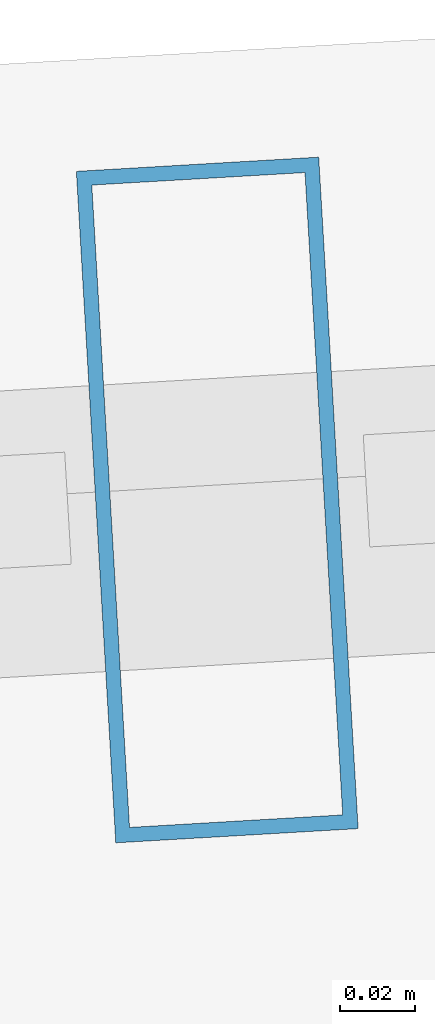
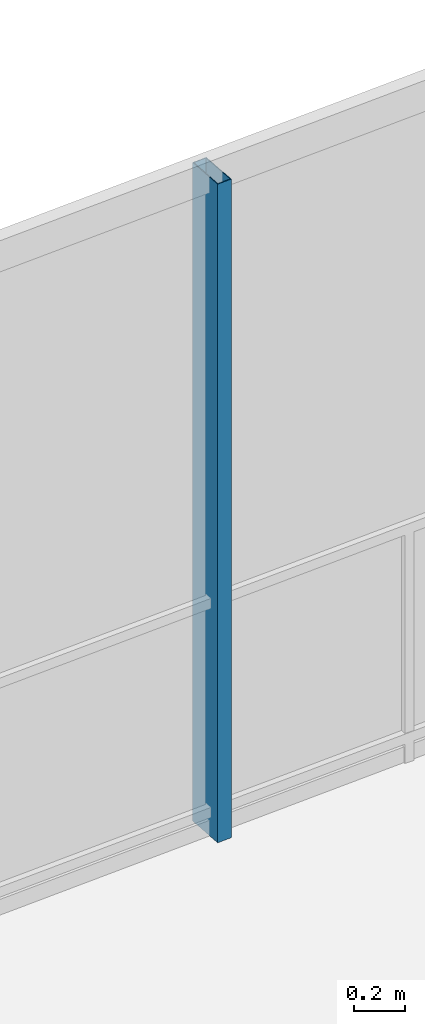
# One storey, part 21 of 30: 1 member, 1 element without a shape of its own.
"""IFC4 building model written with IfcOpenShell, lengths in metres."""

import ifcopenshell
import ifcopenshell.guid

model = None  # the IFC model being written
_history = None  # IfcOwnerHistory: only IFC2X3 demands one
_inside = {}  # id of a spatial element -> (the spatial element, [elements in it])
_under = {}  # id of a project, library or spatial element -> (it, [spatial elements below it])
_declared = {}  # id of a project -> (the project, [libraries it declares])
_typed = {}  # id of a type object -> (the type object, [elements of that type])
_made_of = {}  # id of a material, layer set ... -> (it, [elements and type objects made of it])


def new_model(schema):
    """Start an empty IFC model of exactly this schema.

    Asked for "IFC4X3", IfcOpenShell would pick the latest addendum, in which some entities
    have other attributes; the version numbers below select the first issue.
    IFC2X3 requires an IfcOwnerHistory on every rooted entity: one is made here for all.
    """
    global model, _history
    if schema == "IFC4X3":
        model = ifcopenshell.file(schema_version=(4, 3, 0, 0))
    else:
        model = ifcopenshell.file(schema=schema)
    _inside.clear()
    _under.clear()
    _declared.clear()
    _typed.clear()
    _made_of.clear()
    _history = None
    if model.schema == "IFC2X3":
        org = make("IfcOrganization", Name="unknown")
        user = make(
            "IfcPersonAndOrganization",
            ThePerson=make("IfcPerson", FamilyName="unknown"),
            TheOrganization=org,
        )
        app = make(
            "IfcApplication",
            ApplicationDeveloper=org,
            Version="unknown",
            ApplicationFullName="unknown",
            ApplicationIdentifier="unknown",
        )
        _history = make(
            "IfcOwnerHistory",
            OwningUser=user,
            OwningApplication=app,
            ChangeAction="ADDED",
            CreationDate=0,
        )
    return model


def make(cls, **values):
    """One entity of the class cls with the attributes given. An attribute that is None is left unset."""
    return model.create_entity(
        cls, **{name: value for name, value in values.items() if value is not None}
    )


def rooted(cls, **values):
    """An entity with a GlobalId (a new one), such as an element, a storey or a relation."""
    return make(cls, GlobalId=ifcopenshell.guid.new(), OwnerHistory=_history, **values)


def si_unit(unit_type, name, prefix=None):
    """IfcSIUnit, for example si_unit("LENGTHUNIT", "METRE", prefix="MILLI")."""
    return make("IfcSIUnit", UnitType=unit_type, Prefix=prefix, Name=name)


def assignment(units):
    """IfcUnitAssignment: the units of a project."""
    return None if units is None else make("IfcUnitAssignment", Units=units)


def point(xyz):
    """IfcCartesianPoint."""
    return None if xyz is None else make("IfcCartesianPoint", Coordinates=xyz)


def direction(xyz):
    """IfcDirection."""
    return None if xyz is None else make("IfcDirection", DirectionRatios=xyz)


def frame(location, z_axis=None, x_axis=None):
    """IfcAxis2Placement3D, a coordinate frame: its origin and axes. An axis left out is left unset."""
    return make(
        "IfcAxis2Placement3D",
        Location=point(location),
        Axis=direction(z_axis),
        RefDirection=direction(x_axis),
    )


def frame_2d(location, x_axis=None):
    """IfcAxis2Placement2D, a coordinate frame in the plane: its origin and x axis."""
    return make(
        "IfcAxis2Placement2D", Location=point(location), RefDirection=direction(x_axis)
    )


def origin():
    """The frame at (0, 0, 0) with its axes left unset."""
    return frame((0.0, 0.0, 0.0))


def origin_2d():
    """The frame at (0, 0) in the plane with its x axis left unset."""
    return frame_2d((0.0, 0.0))


def place(relative_to, where):
    """IfcLocalPlacement: puts the frame where relative to a parent placement (None: the world)."""
    return make(
        "IfcLocalPlacement", PlacementRelTo=relative_to, RelativePlacement=where
    )


def context(
    kind, dimensions, precision=None, world=None, true_north=None, identifier=None
):
    """IfcGeometricRepresentationContext, for example the 3D "Model" context."""
    return make(
        "IfcGeometricRepresentationContext",
        ContextIdentifier=identifier,
        ContextType=kind,
        CoordinateSpaceDimension=dimensions,
        Precision=precision,
        WorldCoordinateSystem=world,
        TrueNorth=true_north,
    )


def subcontext(parent, identifier, kind, view, scale=None):
    """IfcGeometricRepresentationSubContext, for example "Body" below "Model"."""
    return make(
        "IfcGeometricRepresentationSubContext",
        ContextIdentifier=identifier,
        ContextType=kind,
        ParentContext=parent,
        TargetScale=scale,
        TargetView=view,
    )


def project(units=None, contexts=None):
    """IfcProject with its units and contexts."""
    return rooted(
        "IfcProject",
        Name="project",
        RepresentationContexts=contexts,
        UnitsInContext=assignment(units),
    )


def spatial(cls, under=None, at=None, **own):
    """A site, building, storey or space (cls), placed at a placement, below another one or the project."""
    s = rooted(cls, ObjectPlacement=at, **own)
    if under is not None:
        _under.setdefault(under.id(), (under, []))[1].append(s)
    return s


def profile(cls, at=None, kind="AREA", **sizes):
    """A parametric profile (cls). Its sizes go by their IFC names, for example OverallWidth=200.0."""
    return make(cls, ProfileType=kind, Position=at, **sizes)


def hollow_rectangle(**sizes):
    """IfcRectangleHollowProfileDef."""
    return profile("IfcRectangleHollowProfileDef", **sizes)


def extrude(swept, where, along, depth):
    """IfcExtrudedAreaSolid: the profile swept, set in the frame where, extruded along a direction by depth."""
    return make(
        "IfcExtrudedAreaSolid",
        SweptArea=swept,
        Position=where,
        ExtrudedDirection=direction(along),
        Depth=depth,
    )


def shape(context_of_items, identifier, shape_type, items):
    """IfcShapeRepresentation: the items that make up one representation, for example the "Body"."""
    return make(
        "IfcShapeRepresentation",
        ContextOfItems=context_of_items,
        RepresentationIdentifier=identifier,
        RepresentationType=shape_type,
        Items=items,
    )


def material(Name=None, Category=None):
    """IfcMaterial."""
    return make("IfcMaterial", Name=Name, Category=Category)


def layer(
    of_material, thickness, ventilated=None, Name=None, Category=None, Priority=None
):
    """IfcMaterialLayer: one layer of a wall or slab, of a material (None: an air gap)."""
    return make(
        "IfcMaterialLayer",
        Material=of_material,
        LayerThickness=thickness,
        IsVentilated=ventilated,
        Name=Name,
        Category=Category,
        Priority=Priority,
    )


def layer_set(layers, Name=None):
    """IfcMaterialLayerSet."""
    return make("IfcMaterialLayerSet", MaterialLayers=layers, LayerSetName=Name)


def material_profile(
    of_material, cross_section, Name=None, Category=None, Priority=None
):
    """IfcMaterialProfile: a cross section and its material."""
    return make(
        "IfcMaterialProfile",
        Name=Name,
        Material=of_material,
        Profile=cross_section,
        Priority=Priority,
        Category=Category,
    )


def profile_set(profiles, Name=None, composite=None):
    """IfcMaterialProfileSet."""
    return make(
        "IfcMaterialProfileSet",
        Name=Name,
        MaterialProfiles=profiles,
        CompositeProfile=composite,
    )


def made_of(thing, what):
    """Note that an element or type object is made of a material, layer set ...; save() writes the relation."""
    if what is not None:
        _made_of.setdefault(what.id(), (what, []))[1].append(thing)
    return thing


def type_object(cls, material=None, **own):
    """A type object (cls), such as IfcWallType, which elements share."""
    return made_of(rooted(cls, **own), material)


def element(
    cls,
    number,
    at=None,
    inside=None,
    cuts=None,
    type_object=None,
    material=None,
    context=None,
    identifier="Body",
    shape_type=None,
    held_by="IfcProductDefinitionShape",
    body=None,
    shapes=None,
    **own,
):
    """One element of the class cls, such as IfcWall. Its Tag is "e" and its number.

    at: its placement. inside: the storey or other place that contains it. cuts: it is an
    opening in that element (IfcRelVoidsElement). A single representation is given by context,
    identifier, shape_type and body (its items); several are given by shapes. held_by: the class
    of the entity that holds the representations. save() writes the other relations.
    """
    e = rooted(cls, Tag="e%d" % number, ObjectPlacement=at, **own)
    if body is not None:
        shapes = [shape(context, identifier, shape_type, body)]
    if shapes is not None:
        e.Representation = make(held_by, Representations=shapes)
    if inside is not None:
        _inside.setdefault(inside.id(), (inside, []))[1].append(e)
    if cuts is not None:
        rooted(
            "IfcRelVoidsElement", RelatingBuildingElement=cuts, RelatedOpeningElement=e
        )
    if type_object is not None:
        _typed.setdefault(type_object.id(), (type_object, []))[1].append(e)
    return made_of(e, material)


def aggregate(whole, parts):
    """IfcRelAggregates: a whole, such as a stair, and the parts it consists of."""
    return rooted("IfcRelAggregates", RelatingObject=whole, RelatedObjects=parts)


def save(model, path):
    """Write the relations noted so far, then the file.

    IfcRelAggregates (storeys below a building ...), IfcRelContainedInSpatialStructure (elements
    in a storey), IfcRelDefinesByType, IfcRelAssociatesMaterial and IfcRelDeclares: one each for
    every whole, place, type object, material and project.
    """
    for whole, parts in _under.values():
        aggregate(whole, parts)
    for where, things in _inside.values():
        rooted(
            "IfcRelContainedInSpatialStructure",
            RelatedElements=things,
            RelatingStructure=where,
        )
    for kind, things in _typed.values():
        rooted("IfcRelDefinesByType", RelatedObjects=things, RelatingType=kind)
    for what, things in _made_of.values():
        rooted("IfcRelAssociatesMaterial", RelatedObjects=things, RelatingMaterial=what)
    for by, libraries in _declared.values():
        rooted("IfcRelDeclares", RelatingContext=by, RelatedDefinitions=libraries)
    model.write(path)


model = new_model("IFC4")

# Units and contexts
model_context = context("Model", 3, precision=1e-05, world=origin(), true_north=direction((0.0, 1.0)))
body_context = subcontext(model_context, "Body", "Model", "MODEL_VIEW")
ifc_project = project(units=[si_unit("LENGTHUNIT", "METRE"), si_unit("AREAUNIT", "SQUARE_METRE"), si_unit("VOLUMEUNIT", "CUBIC_METRE"), si_unit("PLANEANGLEUNIT", "RADIAN"), si_unit("MASSUNIT", "GRAM", prefix="KILO")], contexts=[model_context])

# Site, building, storey
site_placement = place(None, origin())
site = spatial("IfcSite", under=ifc_project, at=site_placement, CompositionType="ELEMENT")
building_placement = place(site_placement, origin())
building = spatial("IfcBuilding", under=site, at=building_placement, Name="Qarnah Convention Tower", CompositionType="ELEMENT")
storey_placement = place(building_placement, frame((0.0, 0.0, 79.800048828125)))
storey = spatial("IfcBuildingStorey", under=building, at=storey_placement, Name="L20", CompositionType="ELEMENT", Elevation=79.800048828125)

# Curtain wall, member
ifc_material_1 = material(Name="Tempered Low-E dark glass", Category="glass")
ifc_layer = layer(ifc_material_1, 0.169921875)
ifc_layer_set = layer_set([ifc_layer], Name="Tempered Low-E dark glass")
curtain_wall_type = type_object("IfcCurtainWallType", Name="CWS-02", PredefinedType="NOTDEFINED", material=ifc_layer_set)
curtain_wall_placement = place(storey_placement, origin())
curtain_wall = element("IfcCurtainWall", 1, at=curtain_wall_placement, inside=storey, type_object=curtain_wall_type, Name="L20 unitised curtain wall CW-L20-F1", PredefinedType="NOTDEFINED")
ifc_material_2 = material(Name="Black anodised aluminium", Category="aluminium")
ifc_material_profile = material_profile(ifc_material_2, hollow_rectangle(XDim=0.06494140625, YDim=0.179931640625, WallThickness=0.00390625, at=origin_2d()), Name="MUL-65X180")
ifc_profile_set = profile_set([ifc_material_profile], Name="Black anodised aluminium")
member_type = type_object("IfcMemberType", Name="MUL-T2", PredefinedType="MULLION", material=ifc_profile_set)
member_placement = place(storey_placement, frame((40.456298828125, 44.42236328125, 0.0), z_axis=(0.0, 0.0, 1.0), x_axis=(0.998280582188, 0.058616373356, 0.0)))
member = element("IfcMember", 2, at=member_placement, type_object=member_type, Name="CW-L20-F1 mullion 4", PredefinedType="MULLION", context=body_context, shape_type="SweptSolid", body=[
    extrude(hollow_rectangle(XDim=0.06494140625, YDim=0.179931640625, WallThickness=0.00390625, at=origin_2d()), origin(), (0.0, 0.0, 1.0), 3.169921875),
])
aggregate(curtain_wall, [member])

save(model, "model.ifc")
